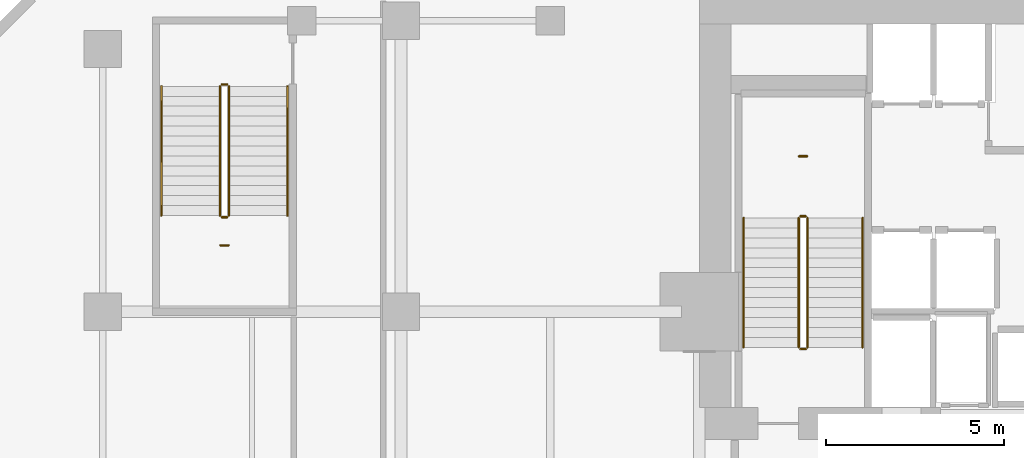
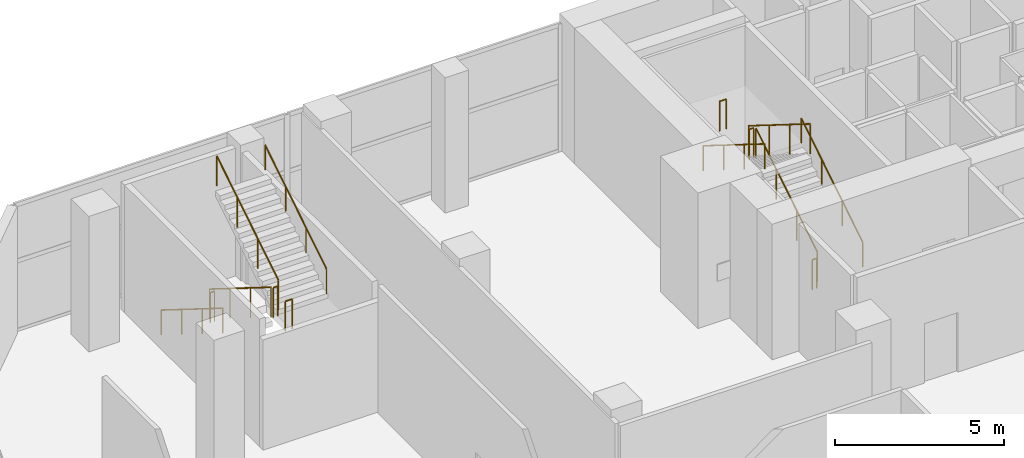
# One storey, part 38 of 39: 14 railings.
"""IFC4 building model written with IfcOpenShell, lengths in metres."""

import ifcopenshell
import ifcopenshell.guid

model = None  # the IFC model being written
_history = None  # IfcOwnerHistory: only IFC2X3 demands one
_inside = {}  # id of a spatial element -> (the spatial element, [elements in it])
_under = {}  # id of a project, library or spatial element -> (it, [spatial elements below it])
_declared = {}  # id of a project -> (the project, [libraries it declares])
_typed = {}  # id of a type object -> (the type object, [elements of that type])
_made_of = {}  # id of a material, layer set ... -> (it, [elements and type objects made of it])


def new_model(schema):
    """Start an empty IFC model of exactly this schema.

    Asked for "IFC4X3", IfcOpenShell would pick the latest addendum, in which some entities
    have other attributes; the version numbers below select the first issue.
    IFC2X3 requires an IfcOwnerHistory on every rooted entity: one is made here for all.
    """
    global model, _history
    if schema == "IFC4X3":
        model = ifcopenshell.file(schema_version=(4, 3, 0, 0))
    else:
        model = ifcopenshell.file(schema=schema)
    _inside.clear()
    _under.clear()
    _declared.clear()
    _typed.clear()
    _made_of.clear()
    _history = None
    if model.schema == "IFC2X3":
        org = make("IfcOrganization", Name="unknown")
        user = make(
            "IfcPersonAndOrganization",
            ThePerson=make("IfcPerson", FamilyName="unknown"),
            TheOrganization=org,
        )
        app = make(
            "IfcApplication",
            ApplicationDeveloper=org,
            Version="unknown",
            ApplicationFullName="unknown",
            ApplicationIdentifier="unknown",
        )
        _history = make(
            "IfcOwnerHistory",
            OwningUser=user,
            OwningApplication=app,
            ChangeAction="ADDED",
            CreationDate=0,
        )
    return model


def make(cls, **values):
    """One entity of the class cls with the attributes given. An attribute that is None is left unset."""
    return model.create_entity(
        cls, **{name: value for name, value in values.items() if value is not None}
    )


def rooted(cls, **values):
    """An entity with a GlobalId (a new one), such as an element, a storey or a relation."""
    return make(cls, GlobalId=ifcopenshell.guid.new(), OwnerHistory=_history, **values)


def si_unit(unit_type, name, prefix=None):
    """IfcSIUnit, for example si_unit("LENGTHUNIT", "METRE", prefix="MILLI")."""
    return make("IfcSIUnit", UnitType=unit_type, Prefix=prefix, Name=name)


def assignment(units):
    """IfcUnitAssignment: the units of a project."""
    return None if units is None else make("IfcUnitAssignment", Units=units)


def point(xyz):
    """IfcCartesianPoint."""
    return None if xyz is None else make("IfcCartesianPoint", Coordinates=xyz)


def direction(xyz):
    """IfcDirection."""
    return None if xyz is None else make("IfcDirection", DirectionRatios=xyz)


def frame(location, z_axis=None, x_axis=None):
    """IfcAxis2Placement3D, a coordinate frame: its origin and axes. An axis left out is left unset."""
    return make(
        "IfcAxis2Placement3D",
        Location=point(location),
        Axis=direction(z_axis),
        RefDirection=direction(x_axis),
    )


def frame_2d(location, x_axis=None):
    """IfcAxis2Placement2D, a coordinate frame in the plane: its origin and x axis."""
    return make(
        "IfcAxis2Placement2D", Location=point(location), RefDirection=direction(x_axis)
    )


def origin():
    """The frame at (0, 0, 0) with its axes left unset."""
    return frame((0.0, 0.0, 0.0))


def origin_2d():
    """The frame at (0, 0) in the plane with its x axis left unset."""
    return frame_2d((0.0, 0.0))


def place(relative_to, where):
    """IfcLocalPlacement: puts the frame where relative to a parent placement (None: the world)."""
    return make(
        "IfcLocalPlacement", PlacementRelTo=relative_to, RelativePlacement=where
    )


def context(
    kind, dimensions, precision=None, world=None, true_north=None, identifier=None
):
    """IfcGeometricRepresentationContext, for example the 3D "Model" context."""
    return make(
        "IfcGeometricRepresentationContext",
        ContextIdentifier=identifier,
        ContextType=kind,
        CoordinateSpaceDimension=dimensions,
        Precision=precision,
        WorldCoordinateSystem=world,
        TrueNorth=true_north,
    )


def subcontext(parent, identifier, kind, view, scale=None):
    """IfcGeometricRepresentationSubContext, for example "Body" below "Model"."""
    return make(
        "IfcGeometricRepresentationSubContext",
        ContextIdentifier=identifier,
        ContextType=kind,
        ParentContext=parent,
        TargetScale=scale,
        TargetView=view,
    )


def project(units=None, contexts=None):
    """IfcProject with its units and contexts."""
    return rooted(
        "IfcProject",
        Name="project",
        RepresentationContexts=contexts,
        UnitsInContext=assignment(units),
    )


def spatial(cls, under=None, at=None, **own):
    """A site, building, storey or space (cls), placed at a placement, below another one or the project."""
    s = rooted(cls, ObjectPlacement=at, **own)
    if under is not None:
        _under.setdefault(under.id(), (under, []))[1].append(s)
    return s


def profile(cls, at=None, kind="AREA", **sizes):
    """A parametric profile (cls). Its sizes go by their IFC names, for example OverallWidth=200.0."""
    return make(cls, ProfileType=kind, Position=at, **sizes)


def circle(**sizes):
    """IfcCircleProfileDef."""
    return profile("IfcCircleProfileDef", **sizes)


def extrude(swept, where, along, depth):
    """IfcExtrudedAreaSolid: the profile swept, set in the frame where, extruded along a direction by depth."""
    return make(
        "IfcExtrudedAreaSolid",
        SweptArea=swept,
        Position=where,
        ExtrudedDirection=direction(along),
        Depth=depth,
    )


def shape(context_of_items, identifier, shape_type, items):
    """IfcShapeRepresentation: the items that make up one representation, for example the "Body"."""
    return make(
        "IfcShapeRepresentation",
        ContextOfItems=context_of_items,
        RepresentationIdentifier=identifier,
        RepresentationType=shape_type,
        Items=items,
    )


def material(Name=None, Category=None):
    """IfcMaterial."""
    return make("IfcMaterial", Name=Name, Category=Category)


def made_of(thing, what):
    """Note that an element or type object is made of a material, layer set ...; save() writes the relation."""
    if what is not None:
        _made_of.setdefault(what.id(), (what, []))[1].append(thing)
    return thing


def type_object(cls, material=None, **own):
    """A type object (cls), such as IfcWallType, which elements share."""
    return made_of(rooted(cls, **own), material)


def element(
    cls,
    number,
    at=None,
    inside=None,
    cuts=None,
    type_object=None,
    material=None,
    context=None,
    identifier="Body",
    shape_type=None,
    held_by="IfcProductDefinitionShape",
    body=None,
    shapes=None,
    **own,
):
    """One element of the class cls, such as IfcWall. Its Tag is "e" and its number.

    at: its placement. inside: the storey or other place that contains it. cuts: it is an
    opening in that element (IfcRelVoidsElement). A single representation is given by context,
    identifier, shape_type and body (its items); several are given by shapes. held_by: the class
    of the entity that holds the representations. save() writes the other relations.
    """
    e = rooted(cls, Tag="e%d" % number, ObjectPlacement=at, **own)
    if body is not None:
        shapes = [shape(context, identifier, shape_type, body)]
    if shapes is not None:
        e.Representation = make(held_by, Representations=shapes)
    if inside is not None:
        _inside.setdefault(inside.id(), (inside, []))[1].append(e)
    if cuts is not None:
        rooted(
            "IfcRelVoidsElement", RelatingBuildingElement=cuts, RelatedOpeningElement=e
        )
    if type_object is not None:
        _typed.setdefault(type_object.id(), (type_object, []))[1].append(e)
    return made_of(e, material)


def aggregate(whole, parts):
    """IfcRelAggregates: a whole, such as a stair, and the parts it consists of."""
    return rooted("IfcRelAggregates", RelatingObject=whole, RelatedObjects=parts)


def save(model, path):
    """Write the relations noted so far, then the file.

    IfcRelAggregates (storeys below a building ...), IfcRelContainedInSpatialStructure (elements
    in a storey), IfcRelDefinesByType, IfcRelAssociatesMaterial and IfcRelDeclares: one each for
    every whole, place, type object, material and project.
    """
    for whole, parts in _under.values():
        aggregate(whole, parts)
    for where, things in _inside.values():
        rooted(
            "IfcRelContainedInSpatialStructure",
            RelatedElements=things,
            RelatingStructure=where,
        )
    for kind, things in _typed.values():
        rooted("IfcRelDefinesByType", RelatedObjects=things, RelatingType=kind)
    for what, things in _made_of.values():
        rooted("IfcRelAssociatesMaterial", RelatedObjects=things, RelatingMaterial=what)
    for by, libraries in _declared.values():
        rooted("IfcRelDeclares", RelatingContext=by, RelatedDefinitions=libraries)
    model.write(path)


model = new_model("IFC4")

# Units and contexts
model_context = context("Model", 3, precision=1e-05, world=origin(), true_north=direction((0.0, 1.0)))
body_context = subcontext(model_context, "Body", "Model", "MODEL_VIEW")
ifc_project = project(units=[si_unit("LENGTHUNIT", "METRE"), si_unit("AREAUNIT", "SQUARE_METRE"), si_unit("VOLUMEUNIT", "CUBIC_METRE"), si_unit("PLANEANGLEUNIT", "RADIAN"), si_unit("MASSUNIT", "GRAM", prefix="KILO")], contexts=[model_context])

# Site, building, storey
site_placement = place(None, origin())
site = spatial("IfcSite", under=ifc_project, at=site_placement, CompositionType="ELEMENT")
building_placement = place(site_placement, origin())
building = spatial("IfcBuilding", under=site, at=building_placement, Name="Maruvema Waterfront Hotel and Observation Tower", CompositionType="ELEMENT")
storey_placement = place(building_placement, frame((0.0, 0.0, 16.449951171875)))
storey = spatial("IfcBuildingStorey", under=building, at=storey_placement, Name="L03", CompositionType="ELEMENT", Elevation=16.449951171875)

# Railings
ifc_material_1 = material(Name="Brushed stainless steel Grade 316", Category="steel")
railing_type_1 = type_object("IfcRailingType", Name="Ramp Continuous Wall Handrail 920 mm", PredefinedType="HANDRAIL", material=ifc_material_1)
railing_1_placement = place(storey_placement, frame((29.800048828125, 44.0, 0.175048828125)))
element("IfcRailing", 1, at=railing_1_placement, inside=storey, type_object=railing_type_1, Name="L03 ST-01 stair handrail 1", PredefinedType="HANDRAIL", context=body_context, shape_type="SweptSolid", body=[
    extrude(circle(Radius=0.02392578125, at=origin_2d()), frame((0.0, 0.0, 0.89599609375), z_axis=(0.0, 0.848001499411, 0.52999382732), x_axis=(-1.0, 0.0, 0.0)), (0.0, 0.0, 1.0), 4.292236328125),
    extrude(circle(Radius=0.02099609375, at=origin_2d()), origin(), (0.0, 0.0, 1.0), 0.871826171875),
    extrude(circle(Radius=0.02099609375, at=origin_2d()), frame((0.0, 1.21337890625, 0.75830078125)), (0.0, 0.0, 1.0), 0.871826171875),
    extrude(circle(Radius=0.02099609375, at=origin_2d()), frame((0.0, 2.426513671875, 1.5166015625)), (0.0, 0.0, 1.0), 0.871826171875),
    extrude(circle(Radius=0.02099609375, at=origin_2d()), frame((0.0, 3.639892578125, 2.27490234375)), (0.0, 0.0, 1.0), 0.871826171875),
])
railing_2_placement = place(storey_placement, frame((26.449951171875, 47.639892578125, 2.625)))
element("IfcRailing", 2, at=railing_2_placement, inside=storey, type_object=railing_type_1, Name="L03 ST-01 stair handrail 2", PredefinedType="HANDRAIL", context=body_context, shape_type="SweptSolid", body=[
    extrude(circle(Radius=0.02392578125, at=origin_2d()), frame((0.0, 0.0, 0.89599609375), z_axis=(0.0, -0.847975935976, 0.530034727169), x_axis=(1.0, 0.0, 0.0)), (0.0, 0.0, 1.0), 4.29248046875),
    extrude(circle(Radius=0.02099609375, at=origin_2d()), origin(), (0.0, 0.0, 1.0), 0.871826171875),
    extrude(circle(Radius=0.02099609375, at=origin_2d()), frame((0.0, -1.21337890625, 0.75830078125)), (0.0, 0.0, 1.0), 0.871826171875),
    extrude(circle(Radius=0.02099609375, at=origin_2d()), frame((0.0, -2.426513671875, 1.516845703125)), (0.0, 0.0, 1.0), 0.871826171875),
    extrude(circle(Radius=0.02099609375, at=origin_2d()), frame((0.0, -3.639892578125, 2.275146484375)), (0.0, 0.0, 1.0), 0.871826171875),
])
railing_3_placement = place(storey_placement, frame((10.050048828125, 51.35009765625, 0.175048828125)))
element("IfcRailing", 3, at=railing_3_placement, inside=storey, type_object=railing_type_1, Name="L03 ST-04 stair handrail 1", PredefinedType="HANDRAIL", context=body_context, shape_type="SweptSolid", body=[
    extrude(circle(Radius=0.02392578125, at=origin_2d()), frame((0.0, 0.0, 0.89599609375), z_axis=(0.0, -0.848017475052, 0.529968265093), x_axis=(1.0, 0.0, 0.0)), (0.0, 0.0, 1.0), 4.29248046875),
    extrude(circle(Radius=0.02099609375, at=origin_2d()), origin(), (0.0, 0.0, 1.0), 0.871826171875),
    extrude(circle(Radius=0.02099609375, at=origin_2d()), frame((0.0, -1.21337890625, 0.75830078125)), (0.0, 0.0, 1.0), 0.871826171875),
    extrude(circle(Radius=0.02099609375, at=origin_2d()), frame((0.0, -2.4267578125, 1.5166015625)), (0.0, 0.0, 1.0), 0.871826171875),
    extrude(circle(Radius=0.02099609375, at=origin_2d()), frame((0.0, -3.64013671875, 2.27490234375)), (0.0, 0.0, 1.0), 0.871826171875),
])
railing_4_placement = place(storey_placement, frame((13.60009765625, 47.7099609375, 2.625)))
element("IfcRailing", 4, at=railing_4_placement, inside=storey, type_object=railing_type_1, Name="L03 ST-04 stair handrail 2", PredefinedType="HANDRAIL", context=body_context, shape_type="SweptSolid", body=[
    extrude(circle(Radius=0.02392578125, at=origin_2d()), frame((0.0, 0.0, 0.89599609375), z_axis=(0.0, 0.847991913602, 0.530009164511), x_axis=(-1.0, 0.0, 0.0)), (0.0, 0.0, 1.0), 4.292724609375),
    extrude(circle(Radius=0.02099609375, at=origin_2d()), origin(), (0.0, 0.0, 1.0), 0.871826171875),
    extrude(circle(Radius=0.02099609375, at=origin_2d()), frame((0.0, 1.21337890625, 0.75830078125)), (0.0, 0.0, 1.0), 0.871826171875),
    extrude(circle(Radius=0.02099609375, at=origin_2d()), frame((0.0, 2.4267578125, 1.516845703125)), (0.0, 0.0, 1.0), 0.871826171875),
    extrude(circle(Radius=0.02099609375, at=origin_2d()), frame((0.0, 3.64013671875, 2.275146484375)), (0.0, 0.0, 1.0), 0.871826171875),
])
ifc_material_2 = material(Name="Brushed stainless steel Grade 316", Category="steel")
railing_type_2 = type_object("IfcRailingType", Name="Ramp and Terrace Guard Balustrade 1100 mm", PredefinedType="BALUSTRADE", material=ifc_material_2)
railing_5_placement = place(storey_placement, frame((28.25, 44.0, 0.175048828125)))
element("IfcRailing", 5, at=railing_5_placement, inside=storey, type_object=railing_type_2, Name="L03 ST-01 stair guard 1", PredefinedType="BALUSTRADE", context=body_context, shape_type="SweptSolid", body=[
    extrude(circle(Radius=0.02392578125, at=origin_2d()), frame((0.0, 0.0, 1.076171875), z_axis=(0.0, 0.848001499411, 0.52999382732), x_axis=(-1.0, 0.0, 0.0)), (0.0, 0.0, 1.0), 4.292236328125),
    extrude(circle(Radius=0.02099609375, at=origin_2d()), origin(), (0.0, 0.0, 1.0), 1.052001953125),
    extrude(circle(Radius=0.02099609375, at=origin_2d()), frame((0.0, 1.21337890625, 0.75830078125)), (0.0, 0.0, 1.0), 1.052001953125),
    extrude(circle(Radius=0.02099609375, at=origin_2d()), frame((0.0, 2.426513671875, 1.5166015625)), (0.0, 0.0, 1.0), 1.052001953125),
    extrude(circle(Radius=0.02099609375, at=origin_2d()), frame((0.0, 3.639892578125, 2.27490234375)), (0.0, 0.0, 1.0), 1.052001953125),
])
railing_6_placement = place(storey_placement, frame((28.199951171875, 47.68994140625, 2.449951171875)))
element("IfcRailing", 6, at=railing_6_placement, inside=storey, type_object=railing_type_2, Name="L03 ST-01 stair guard 2", PredefinedType="BALUSTRADE", context=body_context, shape_type="SweptSolid", body=[
    extrude(circle(Radius=0.02392578125, at=origin_2d()), frame((0.0, 0.0, 1.076171875), z_axis=(-1.0, 0.0, 0.0), x_axis=(0.0, -1.0, 0.0)), (0.0, 0.0, 1.0), 0.14990234375),
    extrude(circle(Radius=0.02099609375, at=origin_2d()), origin(), (0.0, 0.0, 1.0), 1.052001953125),
    extrude(circle(Radius=0.02099609375, at=origin_2d()), frame((-0.14990234375, 0.0, 0.0)), (0.0, 0.0, 1.0), 1.052001953125),
])
railing_7_placement = place(storey_placement, frame((28.0, 47.639892578125, 2.625)))
element("IfcRailing", 7, at=railing_7_placement, inside=storey, type_object=railing_type_2, Name="L03 ST-01 stair guard 3", PredefinedType="BALUSTRADE", context=body_context, shape_type="SweptSolid", body=[
    extrude(circle(Radius=0.02392578125, at=origin_2d()), frame((0.0, 0.0, 1.076171875), z_axis=(0.0, -0.847975935976, 0.530034727169), x_axis=(1.0, 0.0, 0.0)), (0.0, 0.0, 1.0), 4.29248046875),
    extrude(circle(Radius=0.02099609375, at=origin_2d()), origin(), (0.0, 0.0, 1.0), 1.052001953125),
    extrude(circle(Radius=0.02099609375, at=origin_2d()), frame((0.0, -1.21337890625, 0.75830078125)), (0.0, 0.0, 1.0), 1.052001953125),
    extrude(circle(Radius=0.02099609375, at=origin_2d()), frame((0.0, -2.426513671875, 1.516845703125)), (0.0, 0.0, 1.0), 1.052001953125),
    extrude(circle(Radius=0.02099609375, at=origin_2d()), frame((0.0, -3.639892578125, 2.275146484375)), (0.0, 0.0, 1.0), 1.052001953125),
])
railing_8_placement = place(storey_placement, frame((28.199951171875, 43.949951171875, 0.0)))
element("IfcRailing", 8, at=railing_8_placement, inside=storey, type_object=railing_type_2, Name="L03 ST-01 stair guard 4", PredefinedType="BALUSTRADE", context=body_context, shape_type="SweptSolid", body=[
    extrude(circle(Radius=0.02392578125, at=origin_2d()), frame((0.0, 0.0, 1.076171875), z_axis=(-1.0, 0.0, 0.0), x_axis=(0.0, -1.0, 0.0)), (0.0, 0.0, 1.0), 0.14990234375),
    extrude(circle(Radius=0.02099609375, at=origin_2d()), origin(), (0.0, 0.0, 1.0), 1.052001953125),
    extrude(circle(Radius=0.02099609375, at=origin_2d()), frame((-0.14990234375, 0.0, 0.0)), (0.0, 0.0, 1.0), 1.052001953125),
])
railing_9_placement = place(storey_placement, frame((28.239990234375, 49.3798828125, 2.449951171875)))
element("IfcRailing", 9, at=railing_9_placement, inside=storey, type_object=railing_type_2, Name="L03 ST-01 Half-Landing Slot Guard", PredefinedType="BALUSTRADE", context=body_context, shape_type="SweptSolid", body=[
    extrude(circle(Radius=0.02392578125, at=origin_2d()), frame((0.0, 0.0, 1.076171875), z_axis=(-1.0, 0.0, 0.0), x_axis=(0.0, -1.0, 0.0)), (0.0, 0.0, 1.0), 0.22998046875),
    extrude(circle(Radius=0.02099609375, at=origin_2d()), origin(), (0.0, 0.0, 1.0), 1.052001953125),
    extrude(circle(Radius=0.02099609375, at=origin_2d()), frame((-0.22998046875, 0.0, 0.0)), (0.0, 0.0, 1.0), 1.052001953125),
])
railing_10_placement = place(storey_placement, frame((11.699951171875, 51.35009765625, 0.175048828125)))
element("IfcRailing", 10, at=railing_10_placement, inside=storey, type_object=railing_type_2, Name="L03 ST-04 stair guard 1", PredefinedType="BALUSTRADE", context=body_context, shape_type="SweptSolid", body=[
    extrude(circle(Radius=0.02392578125, at=origin_2d()), frame((0.0, 0.0, 1.076171875), z_axis=(0.0, -0.848017475052, 0.529968265093), x_axis=(1.0, 0.0, 0.0)), (0.0, 0.0, 1.0), 4.29248046875),
    extrude(circle(Radius=0.02099609375, at=origin_2d()), origin(), (0.0, 0.0, 1.0), 1.052001953125),
    extrude(circle(Radius=0.02099609375, at=origin_2d()), frame((0.0, -1.21337890625, 0.75830078125)), (0.0, 0.0, 1.0), 1.052001953125),
    extrude(circle(Radius=0.02099609375, at=origin_2d()), frame((0.0, -2.4267578125, 1.5166015625)), (0.0, 0.0, 1.0), 1.052001953125),
    extrude(circle(Radius=0.02099609375, at=origin_2d()), frame((0.0, -3.64013671875, 2.27490234375)), (0.0, 0.0, 1.0), 1.052001953125),
])
railing_11_placement = place(storey_placement, frame((11.75, 47.659912109375, 2.449951171875)))
element("IfcRailing", 11, at=railing_11_placement, inside=storey, type_object=railing_type_2, Name="L03 ST-04 stair guard 2", PredefinedType="BALUSTRADE", context=body_context, shape_type="SweptSolid", body=[
    extrude(circle(Radius=0.02392578125, at=origin_2d()), frame((0.0, 0.0, 1.076171875), z_axis=(1.0, 0.0, 0.0), x_axis=(0.0, 1.0, 0.0)), (0.0, 0.0, 1.0), 0.14990234375),
    extrude(circle(Radius=0.02099609375, at=origin_2d()), origin(), (0.0, 0.0, 1.0), 1.052001953125),
    extrude(circle(Radius=0.02099609375, at=origin_2d()), frame((0.14990234375, 0.0, 0.0)), (0.0, 0.0, 1.0), 1.052001953125),
])
railing_12_placement = place(storey_placement, frame((11.949951171875, 47.7099609375, 2.625)))
element("IfcRailing", 12, at=railing_12_placement, inside=storey, type_object=railing_type_2, Name="L03 ST-04 stair guard 3", PredefinedType="BALUSTRADE", context=body_context, shape_type="SweptSolid", body=[
    extrude(circle(Radius=0.02392578125, at=origin_2d()), frame((0.0, 0.0, 1.076171875), z_axis=(0.0, 0.847991913602, 0.530009164511), x_axis=(-1.0, 0.0, 0.0)), (0.0, 0.0, 1.0), 4.292724609375),
    extrude(circle(Radius=0.02099609375, at=origin_2d()), origin(), (0.0, 0.0, 1.0), 1.052001953125),
    extrude(circle(Radius=0.02099609375, at=origin_2d()), frame((0.0, 1.21337890625, 0.75830078125)), (0.0, 0.0, 1.0), 1.052001953125),
    extrude(circle(Radius=0.02099609375, at=origin_2d()), frame((0.0, 2.4267578125, 1.516845703125)), (0.0, 0.0, 1.0), 1.052001953125),
    extrude(circle(Radius=0.02099609375, at=origin_2d()), frame((0.0, 3.64013671875, 2.275146484375)), (0.0, 0.0, 1.0), 1.052001953125),
])
railing_13_placement = place(storey_placement, frame((11.75, 51.39990234375, 0.0)))
element("IfcRailing", 13, at=railing_13_placement, inside=storey, type_object=railing_type_2, Name="L03 ST-04 stair guard 4", PredefinedType="BALUSTRADE", context=body_context, shape_type="SweptSolid", body=[
    extrude(circle(Radius=0.02392578125, at=origin_2d()), frame((0.0, 0.0, 1.076171875), z_axis=(1.0, 0.0, 0.0), x_axis=(0.0, 1.0, 0.0)), (0.0, 0.0, 1.0), 0.14990234375),
    extrude(circle(Radius=0.02099609375, at=origin_2d()), origin(), (0.0, 0.0, 1.0), 1.052001953125),
    extrude(circle(Radius=0.02099609375, at=origin_2d()), frame((0.14990234375, 0.0, 0.0)), (0.0, 0.0, 1.0), 1.052001953125),
])
railing_14_placement = place(storey_placement, frame((11.7099609375, 46.8701171875, 2.449951171875)))
element("IfcRailing", 14, at=railing_14_placement, inside=storey, type_object=railing_type_2, Name="L03 ST-04 Half-Landing Slot Guard", PredefinedType="BALUSTRADE", context=body_context, shape_type="SweptSolid", body=[
    extrude(circle(Radius=0.02392578125, at=origin_2d()), frame((0.0, 0.0, 1.076171875), z_axis=(1.0, 0.0, 0.0), x_axis=(0.0, 1.0, 0.0)), (0.0, 0.0, 1.0), 0.22998046875),
    extrude(circle(Radius=0.02099609375, at=origin_2d()), origin(), (0.0, 0.0, 1.0), 1.052001953125),
    extrude(circle(Radius=0.02099609375, at=origin_2d()), frame((0.22998046875, 0.0, 0.0)), (0.0, 0.0, 1.0), 1.052001953125),
])

save(model, "model.ifc")
